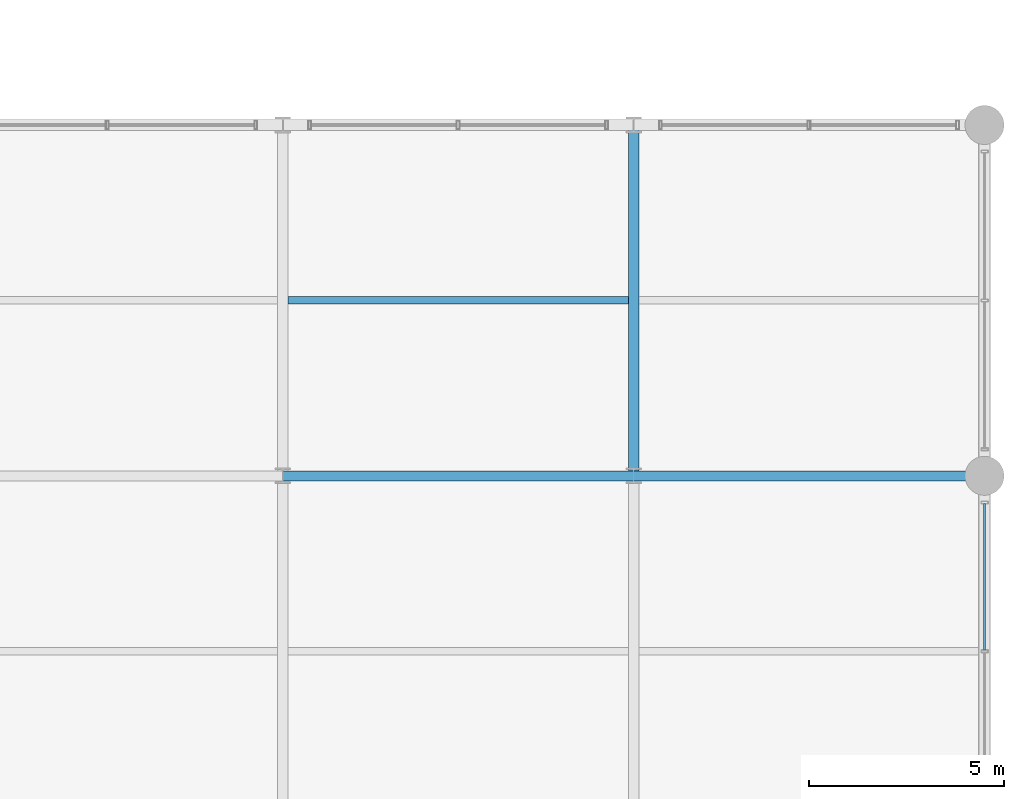
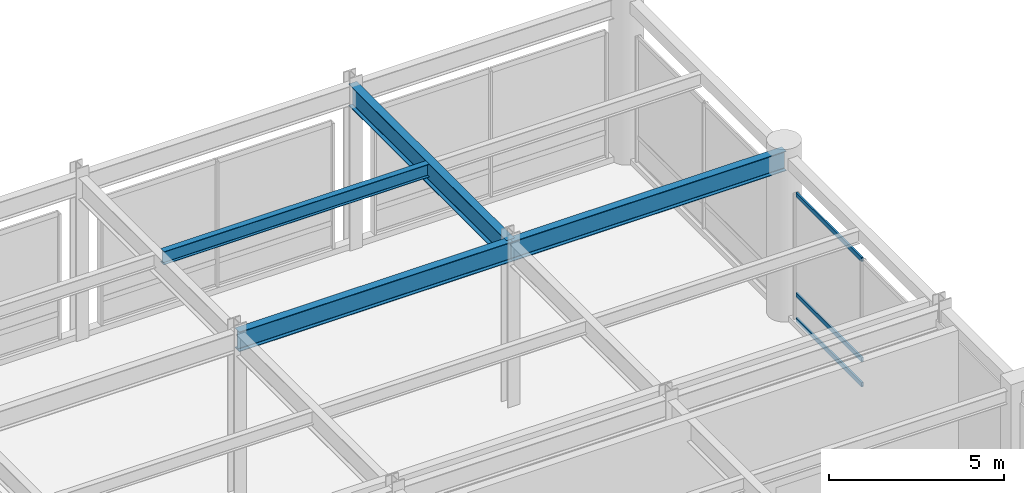
# One storey, part 44 of 105: 4 beams, 3 members, 1 element without a shape of its own.
"""IFC4 building model written with IfcOpenShell, lengths in metres."""

from ifc_helpers import new_model, si_unit, direction, frame, origin, origin_2d, place, context, subcontext, project, spatial, hollow_rectangle, i_section, extrude, material, material_profile, profile_set, type_object, element, aggregate, save


model = new_model("IFC4")

# Units and contexts
model_context = context("Model", 3, precision=1e-05, world=origin(), true_north=direction((0.0, 1.0)))
body_context = subcontext(model_context, "Body", "Model", "MODEL_VIEW")
ifc_project = project(units=[si_unit("LENGTHUNIT", "METRE"), si_unit("AREAUNIT", "SQUARE_METRE"), si_unit("VOLUMEUNIT", "CUBIC_METRE"), si_unit("PLANEANGLEUNIT", "RADIAN"), si_unit("MASSUNIT", "GRAM", prefix="KILO")], contexts=[model_context])

# Site, building, storey
site_placement = place(None, origin())
site = spatial("IfcSite", under=ifc_project, at=site_placement, CompositionType="ELEMENT")
building_placement = place(site_placement, origin())
building = spatial("IfcBuilding", under=site, at=building_placement, Name="Kaldorvane Square Convention Centre", CompositionType="ELEMENT")
storey_placement = place(building_placement, frame((0.0, 0.0, 6.0)))
storey = spatial("IfcBuildingStorey", under=building, at=storey_placement, Name="L01", CompositionType="ELEMENT", Elevation=6.0)

# Beams
ifc_material_1 = material(Name="Steel ASTM A992 Gr. 50", Category="steel")
ifc_material_profile_1 = material_profile(ifc_material_1, i_section(OverallWidth=0.25439453125, OverallDepth=0.6880950927734375, WebThickness=0.0131072998046875, FlangeThickness=0.0211029052734375, FilletRadius=0.01519775390625, at=origin_2d()), Name="W27X102")
ifc_profile_set_1 = profile_set([ifc_material_profile_1], Name="Steel ASTM A992 Gr. 50")
beam_type_1 = type_object("IfcBeamType", Name="BM-GR-W27X102", PredefinedType="BEAM", material=ifc_profile_set_1)
for number, where, z_axis, x_axis, name in (
    (1, (156.0, 27.0, 5.332000732421875), (1.0, 0.0, 0.0), (0.0, 1.0, 0.0), "Primary Girder (L01)"),
    (2, (165.0, 27.0, 5.332000732421875), (1.0, 0.0, 0.0), (0.0, 1.0, 0.0), "Primary Girder (L01)"),
):
    element("IfcBeam", number, at=place(storey_placement, frame(where, z_axis=z_axis, x_axis=x_axis)), inside=storey, type_object=beam_type_1, Name=name, PredefinedType="BEAM", context=body_context, shape_type="SweptSolid", body=[
        extrude(i_section(OverallWidth=0.25439453125, OverallDepth=0.6880950927734375, WebThickness=0.0131072998046875, FlangeThickness=0.0211029052734375, FilletRadius=0.01519775390625, at=origin_2d()), origin(), (0.0, 0.0, 1.0), 9.0),
    ])
ifc_material_profile_2 = material_profile(ifc_material_1, i_section(OverallWidth=0.2666015625, OverallDepth=0.762298583984375, WebThickness=0.014404296875, FlangeThickness=0.0216064453125, FilletRadius=0.0164947509765625, at=origin_2d()), Name="W30X116")
ifc_profile_set_2 = profile_set([ifc_material_profile_2], Name="Steel ASTM A992 Gr. 50")
beam_type_2 = type_object("IfcBeamType", Name="BM-GR-W30X116", PredefinedType="BEAM", material=ifc_profile_set_2)
beam_1_placement = place(storey_placement, frame((165.0, 27.0, 5.2949066162109375), z_axis=(0.0, 1.0, 0.0), x_axis=(-1.0, 0.0, 0.0)))
element("IfcBeam", 3, at=beam_1_placement, inside=storey, type_object=beam_type_2, Name="Transverse Girder (L01)", PredefinedType="BEAM", context=body_context, shape_type="SweptSolid", body=[
    extrude(i_section(OverallWidth=0.2666015625, OverallDepth=0.762298583984375, WebThickness=0.014404296875, FlangeThickness=0.0216064453125, FilletRadius=0.0164947509765625, at=origin_2d()), origin(), (0.0, 0.0, 1.0), 9.0),
])
ifc_material_profile_3 = material_profile(ifc_material_1, i_section(OverallWidth=0.1912994384765625, OverallDepth=0.4600067138671875, WebThickness=0.0099029541015625, FlangeThickness=0.0160064697265625, FilletRadius=0.01019287109375, at=origin_2d()), Name="W18X55")
ifc_profile_set_3 = profile_set([ifc_material_profile_3], Name="Steel ASTM A992 Gr. 50")
beam_type_3 = type_object("IfcBeamType", Name="BM-JS-W18X55", PredefinedType="JOIST", material=ifc_profile_set_3)
beam_2_placement = place(storey_placement, frame((156.13330078125, 31.5, 5.4459991455078125), z_axis=(1.0, 0.0, 0.0), x_axis=(0.0, 1.0, 0.0)))
element("IfcBeam", 4, at=beam_2_placement, inside=storey, type_object=beam_type_3, Name="Secondary Floor Joist (L01)", PredefinedType="JOIST", context=body_context, shape_type="SweptSolid", body=[
    extrude(i_section(OverallWidth=0.1912994384765625, OverallDepth=0.4600067138671875, WebThickness=0.0099029541015625, FlangeThickness=0.0160064697265625, FilletRadius=0.01019287109375, at=origin_2d()), origin(), (0.0, 0.0, 1.0), 8.7333984375),
])

# Curtain wall, members
ifc_material_2 = material(Name="Anodized Aluminum and Low-E Insulated Glazing", Category="aluminium")
curtain_wall_type = type_object("IfcCurtainWallType", Name="CW-UNI-P60-09", PredefinedType="USERDEFINED", material=ifc_material_2)
curtain_wall_placement = place(storey_placement, origin())
curtain_wall = element("IfcCurtainWall", 5, at=curtain_wall_placement, inside=storey, type_object=curtain_wall_type, Name="Curtain Wall CW-02 (L01)", ObjectType="UNITISED GLAZING", PredefinedType="USERDEFINED")
ifc_material_profile_4 = material_profile(ifc_material_2, hollow_rectangle(XDim=0.05999755859375, YDim=0.149993896484375, WallThickness=0.003204345703125, at=origin_2d()), Name="CWT-150X60")
ifc_profile_set_4 = profile_set([ifc_material_profile_4], Name="Anodized Aluminum and Low-E Insulated Glazing")
member_type = type_object("IfcMemberType", Name="CW-TRN-150", PredefinedType="USERDEFINED", material=ifc_profile_set_4)
member_1_placement = place(storey_placement, frame((174.0, 22.532501220703125, 0.17999267578125), z_axis=(0.0, 1.0, 0.0), x_axis=(-1.0, 0.0, 0.0)))
member_1 = element("IfcMember", 6, at=member_1_placement, type_object=member_type, Name="CW-02 transom 2.1", ObjectType="TRANSOM", PredefinedType="USERDEFINED", context=body_context, shape_type="SweptSolid", body=[
    extrude(hollow_rectangle(XDim=0.05999755859375, YDim=0.149993896484375, WallThickness=0.003204345703125, at=origin_2d()), origin(), (0.0, 0.0, 1.0), 3.75250244140625),
])
member_2_placement = place(storey_placement, frame((174.0, 22.532501220703125, 1.0500030517578125), z_axis=(0.0, 1.0, 0.0), x_axis=(-1.0, 0.0, 0.0)))
member_2 = element("IfcMember", 7, at=member_2_placement, type_object=member_type, Name="CW-02 transom 2.2", ObjectType="TRANSOM", PredefinedType="USERDEFINED", context=body_context, shape_type="SweptSolid", body=[
    extrude(hollow_rectangle(XDim=0.05999755859375, YDim=0.149993896484375, WallThickness=0.003204345703125, at=origin_2d()), origin(), (0.0, 0.0, 1.0), 3.75250244140625),
])
member_3_placement = place(storey_placement, frame((174.0, 22.532501220703125, 4.529998779296875), z_axis=(0.0, 1.0, 0.0), x_axis=(-1.0, 0.0, 0.0)))
member_3 = element("IfcMember", 8, at=member_3_placement, type_object=member_type, Name="CW-02 transom 2.3", ObjectType="TRANSOM", PredefinedType="USERDEFINED", context=body_context, shape_type="SweptSolid", body=[
    extrude(hollow_rectangle(XDim=0.05999755859375, YDim=0.149993896484375, WallThickness=0.003204345703125, at=origin_2d()), origin(), (0.0, 0.0, 1.0), 3.75250244140625),
])
aggregate(curtain_wall, [member_1, member_2, member_3])

save(model, "model.ifc")
